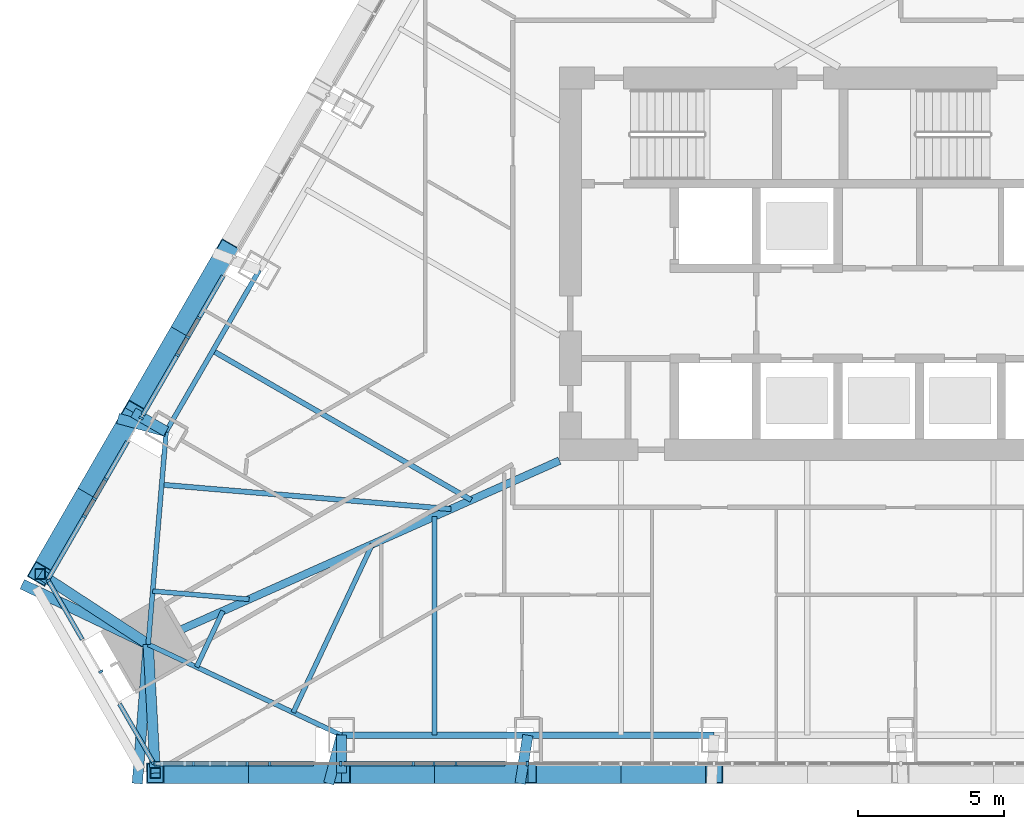
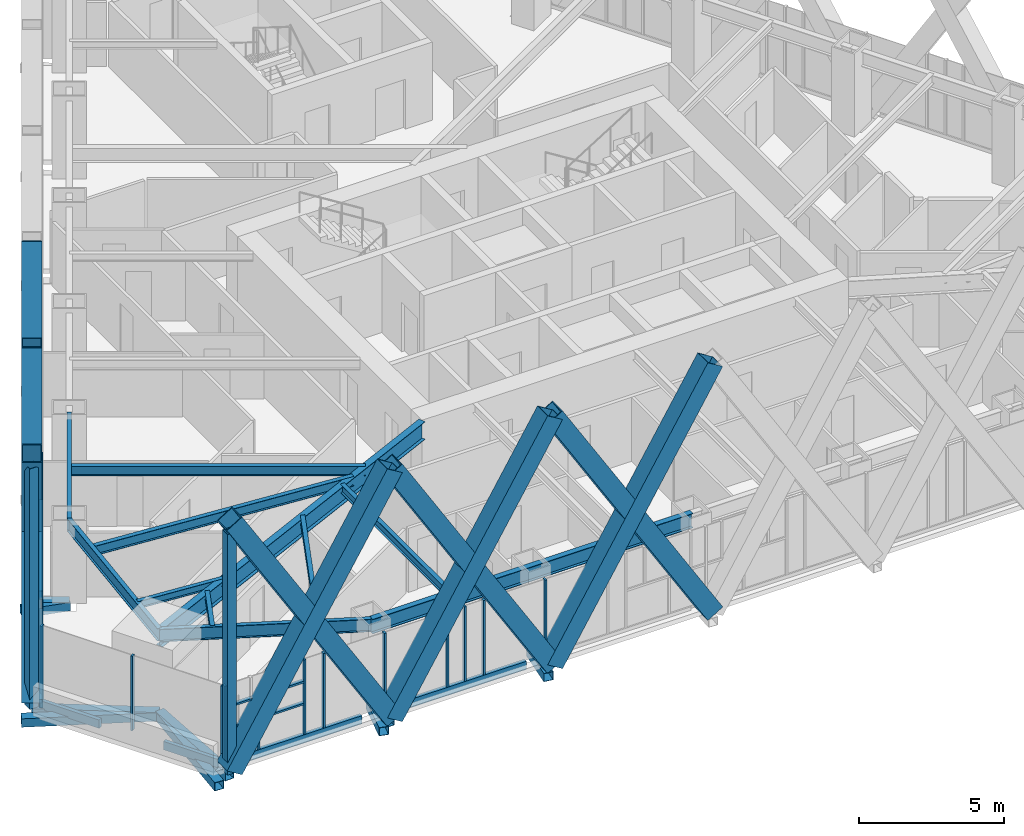
# One storey, part 2 of 21: 48 members, 11 beams, 3 elements without a shape of their own.
"""IFC4 building model written with IfcOpenShell, lengths in metres."""

from ifc_helpers import new_model, si_unit, direction, frame, origin, origin_2d, place, context, subcontext, project, spatial, rectangle, hollow_rectangle, i_section, extrude, material, layer, layer_set, material_profile, profile_set, type_object, element, aggregate, save


model = new_model("IFC4")

# Units and contexts
model_context = context("Model", 3, precision=1e-05, world=origin(), true_north=direction((0.0, 1.0)))
body_context = subcontext(model_context, "Body", "Model", "MODEL_VIEW")
ifc_project = project(units=[si_unit("LENGTHUNIT", "METRE"), si_unit("AREAUNIT", "SQUARE_METRE"), si_unit("VOLUMEUNIT", "CUBIC_METRE"), si_unit("PLANEANGLEUNIT", "RADIAN"), si_unit("MASSUNIT", "GRAM", prefix="KILO")], contexts=[model_context])

# Site, building, storey
site_placement = place(None, origin())
site = spatial("IfcSite", under=ifc_project, at=site_placement, CompositionType="ELEMENT")
building_placement = place(site_placement, origin())
building = spatial("IfcBuilding", under=site, at=building_placement, Name="Firuza Gate Tower and Library", CompositionType="ELEMENT")
storey_placement = place(building_placement, frame((0.0, 0.0, 281.10009765625)))
storey = spatial("IfcBuildingStorey", under=building, at=storey_placement, Name="L67", CompositionType="ELEMENT", Elevation=281.10009765625)

# Members
ifc_material_1 = material(Name="Steel S355", Category="steel")
ifc_material_profile_1 = material_profile(ifc_material_1, hollow_rectangle(XDim=0.699951171875, YDim=0.699951171875, WallThickness=0.030029296875, at=origin_2d()))
ifc_profile_set_1 = profile_set([ifc_material_profile_1], Name="Steel S355")
member_type_1 = type_object("IfcMemberType", Name="BU700x700x30 Lattice brace", PredefinedType="BRACE", material=ifc_profile_set_1)
for number, where, z_axis, x_axis, name in (
    (1, (52.637451171875, 57.531982421875, 0.0), (0.519819652329, 0.0, 0.854276026266), (0.0, 1.0, 0.0), "Lattice brace S 17.1R"),
    (2, (59.026611328125, 57.531982421875, 0.0), (-0.519819652329, 0.0, 0.854276026266), (0.0, -1.0, 0.0), "Lattice brace S 17.1L"),
):
    element("IfcMember", number, at=place(storey_placement, frame(where, z_axis=z_axis, x_axis=x_axis)), inside=storey, type_object=member_type_1, Name=name, PredefinedType="BRACE", context=body_context, shape_type="SweptSolid", body=[
        extrude(hollow_rectangle(XDim=0.699951171875, YDim=0.699951171875, WallThickness=0.030029296875, at=origin_2d()), origin(), (0.0, 0.0, 1.0), 12.291015625),
    ])
for number, where, z_axis, x_axis, name in (
    (3, (59.026611328125, 57.531982421875, 0.0), (0.519834148012, 0.0, 0.854267205598), (0.0, 1.0, 0.0), "Lattice brace S 17.2R"),
    (4, (65.416015625, 57.531982421875, 0.0), (-0.519834148012, 0.0, 0.854267205598), (0.0, -1.0, 0.0), "Lattice brace S 17.2L"),
    (5, (65.416015625, 57.531982421875, 0.0), (0.519834148012, 0.0, 0.854267205598), (0.0, 1.0, 0.0), "Lattice brace S 17.3R"),
    (6, (71.805419921875, 57.531982421875, 0.0), (-0.519834148012, 0.0, 0.854267205598), (0.0, -1.0, 0.0), "Lattice brace S 17.3L"),
    (7, (55.080322265625, 75.43408203125, 0.0), (-0.259925755409, -0.450192361787, 0.854263097098), (0.866019511163, -0.500010206181, 0.0), "Lattice brace W 17.6R"),
    (8, (51.885498046875, 69.900634765625, 0.0), (0.259925755409, 0.450192361787, 0.854263097098), (-0.866019511163, 0.500010206181, 0.0), "Lattice brace W 17.6L"),
):
    element("IfcMember", number, at=place(storey_placement, frame(where, z_axis=z_axis, x_axis=x_axis)), inside=storey, type_object=member_type_1, Name=name, PredefinedType="BRACE", context=body_context, shape_type="SweptSolid", body=[
        extrude(hollow_rectangle(XDim=0.699951171875, YDim=0.699951171875, WallThickness=0.030029296875, at=origin_2d()), origin(), (0.0, 0.0, 1.0), 12.291259765625),
    ])
for number, where, z_axis, x_axis, name in (
    (9, (51.885498046875, 69.900634765625, 0.0), (-0.259909558467, -0.450178848537, 0.854275146394), (0.866026504112, -0.499998094172, 0.0), "Lattice brace W 17.7R"),
    (10, (48.69091796875, 64.367431640625, 0.0), (0.259909558467, 0.450178848537, 0.854275146394), (-0.866026504112, 0.499998094172, 0.0), "Lattice brace W 17.7L"),
):
    element("IfcMember", number, at=place(storey_placement, frame(where, z_axis=z_axis, x_axis=x_axis)), inside=storey, type_object=member_type_1, Name=name, PredefinedType="BRACE", context=body_context, shape_type="SweptSolid", body=[
        extrude(hollow_rectangle(XDim=0.699951171875, YDim=0.699951171875, WallThickness=0.030029296875, at=origin_2d()), origin(), (0.0, 0.0, 1.0), 12.291015625),
    ])

# Curtain wall, members
ifc_material_2 = material(Name="Aluminium 6063-T6", Category="aluminium")
ifc_layer_1 = layer(ifc_material_2, 0.14990234375)
ifc_layer_set_1 = layer_set([ifc_layer_1], Name="Unitised curtain wall, residences")
curtain_wall_type_1 = type_object("IfcCurtainWallType", Name="Unitised curtain wall, residences", PredefinedType="NOTDEFINED", material=ifc_layer_set_1)
placement = place(storey_placement, origin())
curtain_wall_1 = element("IfcCurtainWall", 11, at=placement, inside=storey, type_object=curtain_wall_type_1, Name="CW3 L67 S face", PredefinedType="NOTDEFINED")
ifc_material_3 = material(Name="Aluminium 6063-T6", Category="aluminium")
ifc_material_profile_2 = material_profile(ifc_material_3, rectangle(XDim=0.14990234375, YDim=0.080078125, at=origin_2d()))
ifc_profile_set_2 = profile_set([ifc_material_profile_2], Name="Aluminium 6063-T6")
member_type_2 = type_object("IfcMemberType", Name="Curtain wall mullion 80x150", PredefinedType="MULLION", material=ifc_profile_set_2)
member_1_placement = place(storey_placement, frame((52.634033203125, 57.85693359375, 0.14990234375), z_axis=(0.0, 0.0, 1.0), x_axis=(0.0, 1.0, 0.0)))
member_1 = element("IfcMember", 12, at=member_1_placement, type_object=member_type_2, Name="Mullion", PredefinedType="MULLION", context=body_context, shape_type="SweptSolid", body=[
    extrude(rectangle(XDim=0.14990234375, YDim=0.080078125, at=origin_2d()), origin(), (0.0, 0.0, 1.0), 3.14990234375),
])
member_2_placement = place(storey_placement, frame((55.794921875, 57.85693359375, 0.14990234375), z_axis=(0.0, 0.0, 1.0), x_axis=(0.0, 1.0, 0.0)))
member_2 = element("IfcMember", 13, at=member_2_placement, type_object=member_type_2, Name="Mullion", PredefinedType="MULLION", context=body_context, shape_type="SweptSolid", body=[
    extrude(rectangle(XDim=0.14990234375, YDim=0.080078125, at=origin_2d()), origin(), (0.0, 0.0, 1.0), 3.14990234375),
])
member_3_placement = place(storey_placement, frame((58.995849609375, 57.85693359375, 0.14990234375), z_axis=(0.0, 0.0, 1.0), x_axis=(0.0, 1.0, 0.0)))
member_3 = element("IfcMember", 14, at=member_3_placement, type_object=member_type_2, Name="Mullion", PredefinedType="MULLION", context=body_context, shape_type="SweptSolid", body=[
    extrude(rectangle(XDim=0.14990234375, YDim=0.080078125, at=origin_2d()), origin(), (0.0, 0.0, 1.0), 3.14990234375),
])
member_4_placement = place(storey_placement, frame((62.196533203125, 57.85693359375, 0.14990234375), z_axis=(0.0, 0.0, 1.0), x_axis=(0.0, 1.0, 0.0)))
member_4 = element("IfcMember", 15, at=member_4_placement, type_object=member_type_2, Name="Mullion", PredefinedType="MULLION", context=body_context, shape_type="SweptSolid", body=[
    extrude(rectangle(XDim=0.14990234375, YDim=0.080078125, at=origin_2d()), origin(), (0.0, 0.0, 1.0), 3.14990234375),
])
member_5_placement = place(storey_placement, frame((65.3974609375, 57.85693359375, 0.14990234375), z_axis=(0.0, 0.0, 1.0), x_axis=(0.0, 1.0, 0.0)))
member_5 = element("IfcMember", 16, at=member_5_placement, type_object=member_type_2, Name="Mullion", PredefinedType="MULLION", context=body_context, shape_type="SweptSolid", body=[
    extrude(rectangle(XDim=0.14990234375, YDim=0.080078125, at=origin_2d()), origin(), (0.0, 0.0, 1.0), 3.14990234375),
])
member_6_placement = place(storey_placement, frame((53.949951171875, 57.85693359375, 0.14990234375), z_axis=(0.0, 0.0, 1.0), x_axis=(0.0, 1.0, 0.0)))
member_6 = element("IfcMember", 17, at=member_6_placement, type_object=member_type_2, Name="Mullion", PredefinedType="MULLION", context=body_context, shape_type="SweptSolid", body=[
    extrude(rectangle(XDim=0.14990234375, YDim=0.080078125, at=origin_2d()), origin(), (0.0, 0.0, 1.0), 1.260009765625),
])
member_7_placement = place(storey_placement, frame((56.56396484375, 57.85693359375, 0.14990234375), z_axis=(0.0, 0.0, 1.0), x_axis=(0.0, 1.0, 0.0)))
member_7 = element("IfcMember", 18, at=member_7_placement, type_object=member_type_2, Name="Mullion", PredefinedType="MULLION", context=body_context, shape_type="SweptSolid", body=[
    extrude(rectangle(XDim=0.14990234375, YDim=0.080078125, at=origin_2d()), origin(), (0.0, 0.0, 1.0), 3.14990234375),
])
member_8_placement = place(storey_placement, frame((61.489501953125, 57.85693359375, 0.14990234375), z_axis=(0.0, 0.0, 1.0), x_axis=(0.0, 1.0, 0.0)))
member_8 = element("IfcMember", 19, at=member_8_placement, type_object=member_type_2, Name="Mullion", PredefinedType="MULLION", context=body_context, shape_type="SweptSolid", body=[
    extrude(rectangle(XDim=0.14990234375, YDim=0.080078125, at=origin_2d()), origin(), (0.0, 0.0, 1.0), 3.14990234375),
])
member_9_placement = place(storey_placement, frame((62.953125, 57.85693359375, 0.14990234375), z_axis=(0.0, 0.0, 1.0), x_axis=(0.0, 1.0, 0.0)))
member_9 = element("IfcMember", 20, at=member_9_placement, type_object=member_type_2, Name="Mullion", PredefinedType="MULLION", context=body_context, shape_type="SweptSolid", body=[
    extrude(rectangle(XDim=0.14990234375, YDim=0.080078125, at=origin_2d()), origin(), (0.0, 0.0, 1.0), 3.14990234375),
])

curtain_wall_2 = element("IfcCurtainWall", 21, at=placement, inside=storey, type_object=curtain_wall_type_1, Name="CW3 L67 W face", PredefinedType="NOTDEFINED")
member_10_placement = place(storey_placement, frame((53.751953125, 72.4833984375, 0.14990234375), z_axis=(0.0, 0.0, 1.0), x_axis=(0.866025403784, -0.5, 0.0)))
member_10 = element("IfcMember", 22, at=member_10_placement, type_object=member_type_2, Name="Mullion", PredefinedType="MULLION", context=body_context, shape_type="SweptSolid", body=[
    extrude(rectangle(XDim=0.14990234375, YDim=0.080078125, at=origin_2d()), origin(), (0.0, 0.0, 1.0), 3.14990234375),
])
member_11_placement = place(storey_placement, frame((52.151611328125, 69.71142578125, 0.14990234375), z_axis=(0.0, 0.0, 1.0), x_axis=(0.866025403784, -0.5, 0.0)))
member_11 = element("IfcMember", 23, at=member_11_placement, type_object=member_type_2, Name="Mullion", PredefinedType="MULLION", context=body_context, shape_type="SweptSolid", body=[
    extrude(rectangle(XDim=0.14990234375, YDim=0.080078125, at=origin_2d()), origin(), (0.0, 0.0, 1.0), 3.14990234375),
])
member_12_placement = place(storey_placement, frame((50.55126953125, 66.939453125, 0.14990234375), z_axis=(0.0, 0.0, 1.0), x_axis=(0.866025403784, -0.5, 0.0)))
member_12 = element("IfcMember", 24, at=member_12_placement, type_object=member_type_2, Name="Mullion", PredefinedType="MULLION", context=body_context, shape_type="SweptSolid", body=[
    extrude(rectangle(XDim=0.14990234375, YDim=0.080078125, at=origin_2d()), origin(), (0.0, 0.0, 1.0), 3.14990234375),
])
member_13_placement = place(storey_placement, frame((54.13037109375, 73.138671875, 0.14990234375), z_axis=(0.0, 0.0, 1.0), x_axis=(0.866025403784, -0.5, 0.0)))
member_13 = element("IfcMember", 25, at=member_13_placement, type_object=member_type_2, Name="Mullion", PredefinedType="MULLION", context=body_context, shape_type="SweptSolid", body=[
    extrude(rectangle(XDim=0.14990234375, YDim=0.080078125, at=origin_2d()), origin(), (0.0, 0.0, 1.0), 3.14990234375),
])
member_14_placement = place(storey_placement, frame((53.3984375, 71.87109375, 0.14990234375), z_axis=(0.0, 0.0, 1.0), x_axis=(0.866025403784, -0.5, 0.0)))
member_14 = element("IfcMember", 26, at=member_14_placement, type_object=member_type_2, Name="Mullion", PredefinedType="MULLION", context=body_context, shape_type="SweptSolid", body=[
    extrude(rectangle(XDim=0.14990234375, YDim=0.080078125, at=origin_2d()), origin(), (0.0, 0.0, 1.0), 3.14990234375),
])
member_15_placement = place(storey_placement, frame((50.935546875, 67.60546875, 0.14990234375), z_axis=(0.0, 0.0, 1.0), x_axis=(0.866025403784, -0.5, 0.0)))
member_15 = element("IfcMember", 27, at=member_15_placement, type_object=member_type_2, Name="Mullion", PredefinedType="MULLION", context=body_context, shape_type="SweptSolid", body=[
    extrude(rectangle(XDim=0.14990234375, YDim=0.080078125, at=origin_2d()), origin(), (0.0, 0.0, 1.0), 3.14990234375),
])
member_16_placement = place(storey_placement, frame((50.203857421875, 66.337646484375, 0.14990234375), z_axis=(0.0, 0.0, 1.0), x_axis=(0.866025403784, -0.5, 0.0)))
member_16 = element("IfcMember", 28, at=member_16_placement, type_object=member_type_2, Name="Mullion", PredefinedType="MULLION", context=body_context, shape_type="SweptSolid", body=[
    extrude(rectangle(XDim=0.14990234375, YDim=0.080078125, at=origin_2d()), origin(), (0.0, 0.0, 1.0), 3.14990234375),
])

ifc_material_4 = material(Name="Aluminium 6063-T6", Category="aluminium")
ifc_layer_2 = layer(ifc_material_4, 0.14990234375)
ifc_layer_set_2 = layer_set([ifc_layer_2], Name="Corner curtain wall, chamfers")
curtain_wall_type_2 = type_object("IfcCurtainWallType", Name="Corner curtain wall, chamfers", PredefinedType="NOTDEFINED", material=ifc_layer_set_2)
curtain_wall_3 = element("IfcCurtainWall", 29, at=placement, inside=storey, type_object=curtain_wall_type_2, Name="CW4 L67 SW corner", PredefinedType="NOTDEFINED")
member_17_placement = place(storey_placement, frame((48.970703125, 64.1328125, 0.14990234375), z_axis=(0.0, 0.0, 1.0), x_axis=(0.866025403784, 0.5, 0.0)))
member_17 = element("IfcMember", 30, at=member_17_placement, type_object=member_type_2, Name="Mullion", PredefinedType="MULLION", context=body_context, shape_type="SweptSolid", body=[
    extrude(rectangle(XDim=0.14990234375, YDim=0.080078125, at=origin_2d()), origin(), (0.0, 0.0, 1.0), 3.14990234375),
])
member_18_placement = place(storey_placement, frame((50.7724609375, 61.01220703125, 0.14990234375), z_axis=(0.0, 0.0, 1.0), x_axis=(0.866025403784, 0.5, 0.0)))
member_18 = element("IfcMember", 31, at=member_18_placement, type_object=member_type_2, Name="Mullion", PredefinedType="MULLION", context=body_context, shape_type="SweptSolid", body=[
    extrude(rectangle(XDim=0.14990234375, YDim=0.080078125, at=origin_2d()), origin(), (0.0, 0.0, 1.0), 3.14990234375),
])
member_19_placement = place(storey_placement, frame((52.573974609375, 57.8916015625, 0.14990234375), z_axis=(0.0, 0.0, 1.0), x_axis=(0.866025403784, 0.5, 0.0)))
member_19 = element("IfcMember", 32, at=member_19_placement, type_object=member_type_2, Name="Mullion", PredefinedType="MULLION", context=body_context, shape_type="SweptSolid", body=[
    extrude(rectangle(XDim=0.14990234375, YDim=0.080078125, at=origin_2d()), origin(), (0.0, 0.0, 1.0), 3.14990234375),
])

# Member
ifc_material_5 = material(Name="Aluminium 6063-T6", Category="aluminium")
ifc_material_profile_3 = material_profile(ifc_material_5, rectangle(XDim=0.14990234375, YDim=0.35009765625, at=origin_2d()))
ifc_profile_set_3 = profile_set([ifc_material_profile_3], Name="Aluminium 6063-T6")
member_type_3 = type_object("IfcMemberType", Name="Curtain wall transom 350x150", PredefinedType="USERDEFINED", material=ifc_profile_set_3)
member_20_placement = place(storey_placement, frame((52.593994140625, 57.85693359375, -0.025146484375), z_axis=(1.0, 0.0, 0.0), x_axis=(0.0, 1.0, 0.0)))
member_20 = element("IfcMember", 33, at=member_20_placement, type_object=member_type_3, Name="Transom", ObjectType="TRANSOM", PredefinedType="USERDEFINED", context=body_context, shape_type="SweptSolid", body=[
    extrude(rectangle(XDim=0.14990234375, YDim=0.35009765625, at=origin_2d()), origin(), (0.0, 0.0, 1.0), 5.465087890625),
])

member_21_placement = place(storey_placement, frame((59.1142578125, 57.85693359375, -0.025146484375), z_axis=(1.0, 0.0, 0.0), x_axis=(0.0, 1.0, 0.0)))
member_21 = element("IfcMember", 34, at=member_21_placement, type_object=member_type_3, Name="Transom", ObjectType="TRANSOM", PredefinedType="USERDEFINED", context=body_context, shape_type="SweptSolid", body=[
    extrude(rectangle(XDim=0.14990234375, YDim=0.35009765625, at=origin_2d()), origin(), (0.0, 0.0, 1.0), 5.51025390625),
])

member_22_placement = place(storey_placement, frame((54.966064453125, 74.5859375, -0.025146484375), z_axis=(-0.500036938691, -0.866004076171, 0.0), x_axis=(0.866004076171, -0.500036938691, 0.0)))
member_22 = element("IfcMember", 35, at=member_22_placement, type_object=member_type_3, Name="Transom", ObjectType="TRANSOM", PredefinedType="USERDEFINED", context=body_context, shape_type="SweptSolid", body=[
    extrude(rectangle(XDim=0.14990234375, YDim=0.35009765625, at=origin_2d()), origin(), (0.0, 0.0, 1.0), 5.51025390625),
])

member_23_placement = place(storey_placement, frame((51.683349609375, 68.900390625, -0.025146484375), z_axis=(-0.500016339278, -0.866015970092, 0.0), x_axis=(0.866015970092, -0.500016339278, 0.0)))
member_23 = element("IfcMember", 36, at=member_23_placement, type_object=member_type_3, Name="Transom", ObjectType="TRANSOM", PredefinedType="USERDEFINED", context=body_context, shape_type="SweptSolid", body=[
    extrude(rectangle(XDim=0.14990234375, YDim=0.35009765625, at=origin_2d()), origin(), (0.0, 0.0, 1.0), 5.465087890625),
])

aggregate(curtain_wall_2, [member_10, member_11, member_12, member_22, member_23, member_13, member_14, member_15, member_16])

member_24_placement = place(storey_placement, frame((48.95068359375, 64.16748046875, -0.025146484375), z_axis=(0.499960902066, -0.86604797581, 0.0), x_axis=(0.86604797581, 0.499960902066, 0.0)))
member_24 = element("IfcMember", 37, at=member_24_placement, type_object=member_type_3, Name="Transom", ObjectType="TRANSOM", PredefinedType="USERDEFINED", context=body_context, shape_type="SweptSolid", body=[
    extrude(rectangle(XDim=0.14990234375, YDim=0.35009765625, at=origin_2d()), origin(), (0.0, 0.0, 1.0), 2.363525390625),
])

member_25_placement = place(storey_placement, frame((51.412353515625, 59.903564453125, -0.025146484375), z_axis=(0.500005632288, -0.866022151957, 0.0), x_axis=(0.866022151957, 0.500005632288, 0.0)))
member_25 = element("IfcMember", 38, at=member_25_placement, type_object=member_type_3, Name="Transom", ObjectType="TRANSOM", PredefinedType="USERDEFINED", context=body_context, shape_type="SweptSolid", body=[
    extrude(rectangle(XDim=0.14990234375, YDim=0.35009765625, at=origin_2d()), origin(), (0.0, 0.0, 1.0), 2.36328125),
])

aggregate(curtain_wall_3, [member_17, member_18, member_19, member_24, member_25])

ifc_material_6 = material(Name="Aluminium 6063-T6", Category="aluminium")
ifc_material_profile_4 = material_profile(ifc_material_6, rectangle(XDim=0.14990234375, YDim=0.080078125, at=origin_2d()))
ifc_profile_set_4 = profile_set([ifc_material_profile_4], Name="Aluminium 6063-T6")
member_type_4 = type_object("IfcMemberType", Name="Curtain wall transom 80x150", PredefinedType="USERDEFINED", material=ifc_profile_set_4)
member_26_placement = place(storey_placement, frame((52.634033203125, 57.85693359375, 1.449951171875), z_axis=(1.0, 0.0, 0.0), x_axis=(0.0, 1.0, 0.0)))
member_26 = element("IfcMember", 39, at=member_26_placement, type_object=member_type_4, Name="Transom", ObjectType="TRANSOM", PredefinedType="USERDEFINED", context=body_context, shape_type="SweptSolid", body=[
    extrude(rectangle(XDim=0.14990234375, YDim=0.080078125, at=origin_2d()), origin(), (0.0, 0.0, 1.0), 3.120849609375),
])

member_27_placement = place(storey_placement, frame((52.634033203125, 57.85693359375, 2.375), z_axis=(1.0, 0.0, 0.0), x_axis=(0.0, 1.0, 0.0)))
member_27 = element("IfcMember", 40, at=member_27_placement, type_object=member_type_4, Name="Transom", ObjectType="TRANSOM", PredefinedType="USERDEFINED", context=body_context, shape_type="SweptSolid", body=[
    extrude(rectangle(XDim=0.14990234375, YDim=0.080078125, at=origin_2d()), origin(), (0.0, 0.0, 1.0), 3.120849609375),
])

aggregate(curtain_wall_1, [member_1, member_2, member_3, member_4, member_5, member_20, member_21, member_6, member_26, member_27, member_7, member_8, member_9])

# Members
ifc_material_7 = material(Name="Steel S355", Category="steel")
ifc_material_profile_5 = material_profile(ifc_material_7, hollow_rectangle(XDim=0.355712890625, YDim=0.355712890625, WallThickness=0.014892578125, at=origin_2d()))
ifc_profile_set_5 = profile_set([ifc_material_profile_5], Name="Steel S355")
member_type_5 = type_object("IfcMemberType", Name="HSS356x356x16 Lattice corner stile", PredefinedType="BRACE", material=ifc_profile_set_5)
for number, where, z_axis, x_axis, name in (
    (41, (52.637451171875, 57.531982421875, -0.14013671875), (0.0, 0.0, 1.0), (1.0, 0.0, 0.0), "Lattice corner stile S 17.A"),
    (42, (48.69091796875, 64.367431640625, -0.14013671875), (0.0, 0.0, 1.0), (1.0, 0.0, 0.0), "Lattice corner stile W 17.B"),
):
    element("IfcMember", number, at=place(storey_placement, frame(where, z_axis=z_axis, x_axis=x_axis)), inside=storey, type_object=member_type_5, Name=name, PredefinedType="BRACE", context=body_context, shape_type="SweptSolid", body=[
        extrude(hollow_rectangle(XDim=0.355712890625, YDim=0.355712890625, WallThickness=0.014892578125, at=origin_2d()), origin(), (0.0, 0.0, 1.0), 10.14013671875),
    ])
ifc_material_8 = material(Name="Steel S355", Category="steel")
ifc_material_profile_6 = material_profile(ifc_material_8, hollow_rectangle(XDim=0.355712890625, YDim=0.355712890625, WallThickness=0.014892578125, at=origin_2d()))
ifc_profile_set_6 = profile_set([ifc_material_profile_6], Name="Steel S355")
member_type_6 = type_object("IfcMemberType", Name="HSS356x356x16 Lattice node tie", PredefinedType="BRACE", material=ifc_profile_set_6)
member_28_placement = place(storey_placement, frame((52.396240234375, 61.94970703125, -0.320068359375), z_axis=(-0.078318433579, -0.996928394099, 0.0), x_axis=(0.996928394099, -0.078318433579, 0.0)))
element("IfcMember", 43, at=member_28_placement, inside=storey, type_object=member_type_6, Name="Lattice node tie S L67 439", PredefinedType="BRACE", context=body_context, shape_type="SweptSolid", body=[
    extrude(hollow_rectangle(XDim=0.355712890625, YDim=0.355712890625, WallThickness=0.014892578125, at=origin_2d()), origin(), (0.0, 0.0, 1.0), 4.7880859375),
])
member_29_placement = place(storey_placement, frame((52.396240234375, 61.94970703125, -0.320068359375), z_axis=(0.054519511079, -0.998512705433, 0.0), x_axis=(0.998512705433, 0.054519511079, 0.0)))
element("IfcMember", 44, at=member_29_placement, inside=storey, type_object=member_type_6, Name="Lattice node tie S L67 440", PredefinedType="BRACE", context=body_context, shape_type="SweptSolid", body=[
    extrude(hollow_rectangle(XDim=0.355712890625, YDim=0.355712890625, WallThickness=0.014892578125, at=origin_2d()), origin(), (0.0, 0.0, 1.0), 4.42431640625),
])
member_30_placement = place(storey_placement, frame((59.026611328125, 58.83203125, -0.320068359375), z_axis=(-0.256793327243, -0.966466340378, 0.0), x_axis=(0.966466340378, -0.256793327243, 0.0)))
element("IfcMember", 45, at=member_30_placement, inside=storey, type_object=member_type_6, Name="Lattice node tie S L67 441", PredefinedType="BRACE", context=body_context, shape_type="SweptSolid", body=[
    extrude(hollow_rectangle(XDim=0.355712890625, YDim=0.355712890625, WallThickness=0.014892578125, at=origin_2d()), origin(), (0.0, 0.0, 1.0), 1.713134765625),
])
member_31_placement = place(storey_placement, frame((59.026611328125, 58.83203125, -0.320068359375), z_axis=(0.0, -1.0, 0.0), x_axis=(1.0, 0.0, 0.0)))
element("IfcMember", 46, at=member_31_placement, inside=storey, type_object=member_type_6, Name="Lattice node tie S L67 442", PredefinedType="BRACE", context=body_context, shape_type="SweptSolid", body=[
    extrude(hollow_rectangle(XDim=0.355712890625, YDim=0.355712890625, WallThickness=0.014892578125, at=origin_2d()), origin(), (0.0, 0.0, 1.0), 1.300048828125),
])
member_32_placement = place(storey_placement, frame((65.416015625, 58.83203125, -0.320068359375), z_axis=(-0.157405530455, -0.987534049531, 0.0), x_axis=(0.987534049531, -0.157405530455, 0.0)))
element("IfcMember", 47, at=member_32_placement, inside=storey, type_object=member_type_6, Name="Lattice node tie S L67 443", PredefinedType="BRACE", context=body_context, shape_type="SweptSolid", body=[
    extrude(hollow_rectangle(XDim=0.355712890625, YDim=0.355712890625, WallThickness=0.014892578125, at=origin_2d()), origin(), (0.0, 0.0, 1.0), 1.6767578125),
])
member_33_placement = place(storey_placement, frame((52.396240234375, 61.94970703125, -0.320068359375), z_axis=(-0.902515271089, 0.430657851956, 0.0), x_axis=(-0.430657851956, -0.902515271089, 0.0)))
element("IfcMember", 48, at=member_33_placement, inside=storey, type_object=member_type_6, Name="Lattice node tie W L67 451", PredefinedType="BRACE", context=body_context, shape_type="SweptSolid", body=[
    extrude(hollow_rectangle(XDim=0.355712890625, YDim=0.355712890625, WallThickness=0.014892578125, at=origin_2d()), origin(), (0.0, 0.0, 1.0), 4.7880859375),
])
member_34_placement = place(storey_placement, frame((52.396240234375, 61.94970703125, -0.320068359375), z_axis=(-0.837485429113, 0.546459656355, 0.0), x_axis=(-0.546459656355, -0.837485429113, 0.0)))
element("IfcMember", 49, at=member_34_placement, inside=storey, type_object=member_type_6, Name="Lattice node tie W L67 452", PredefinedType="BRACE", context=body_context, shape_type="SweptSolid", body=[
    extrude(hollow_rectangle(XDim=0.355712890625, YDim=0.355712890625, WallThickness=0.014892578125, at=origin_2d()), origin(), (0.0, 0.0, 1.0), 4.42431640625),
])
member_35_placement = place(storey_placement, frame((53.011474609375, 69.250732421875, -0.320068359375), z_axis=(-0.965392491391, 0.260801337355, 0.0), x_axis=(-0.260801337355, -0.965392491391, 0.0)))
element("IfcMember", 50, at=member_35_placement, inside=storey, type_object=member_type_6, Name="Lattice node tie W L67 453", PredefinedType="BRACE", context=body_context, shape_type="SweptSolid", body=[
    extrude(hollow_rectangle(XDim=0.355712890625, YDim=0.355712890625, WallThickness=0.014892578125, at=origin_2d()), origin(), (0.0, 0.0, 1.0), 1.713134765625),
])
member_36_placement = place(storey_placement, frame((53.011474609375, 69.250732421875, -0.320068359375), z_axis=(-0.866085525409, 0.49989585183, 0.0), x_axis=(-0.49989585183, -0.866085525409, 0.0)))
element("IfcMember", 51, at=member_36_placement, inside=storey, type_object=member_type_6, Name="Lattice node tie W L67 454", PredefinedType="BRACE", context=body_context, shape_type="SweptSolid", body=[
    extrude(hollow_rectangle(XDim=0.355712890625, YDim=0.355712890625, WallThickness=0.014892578125, at=origin_2d()), origin(), (0.0, 0.0, 1.0), 1.300048828125),
])

# Beams
ifc_material_9 = material(Name="Steel S355", Category="steel")
ifc_material_profile_7 = material_profile(ifc_material_9, i_section(OverallWidth=0.1650390625, OverallDepth=0.31005859375, WebThickness=0.005859375, FlangeThickness=0.009765625, at=origin_2d()))
ifc_profile_set_7 = profile_set([ifc_material_profile_7], Name="Steel S355")
beam_type_1 = type_object("IfcBeamType", Name="W310x39 Floor beam", PredefinedType="JOIST", material=ifc_profile_set_7)
beam_1_placement = place(storey_placement, frame((52.550048828125, 63.77490234375, 3.14501953125), z_axis=(0.996467212931, -0.083982697946, 0.0), x_axis=(0.083982697946, 0.996467212931, 0.0)))
element("IfcBeam", 52, at=beam_1_placement, inside=storey, type_object=beam_type_1, Name="Floor beam L67 s01", PredefinedType="JOIST", context=body_context, shape_type="SweptSolid", body=[
    extrude(i_section(OverallWidth=0.1650390625, OverallDepth=0.31005859375, WebThickness=0.005859375, FlangeThickness=0.009765625, at=origin_2d()), origin(), (0.0, 0.0, 1.0), 3.31982421875),
])
beam_2_placement = place(storey_placement, frame((54.0537109375, 61.170166015625, 3.14501953125), z_axis=(0.425542647258, 0.904938371031, 0.0), x_axis=(-0.904938371031, 0.425542647258, 0.0)))
element("IfcBeam", 53, at=beam_2_placement, inside=storey, type_object=beam_type_1, Name="Floor beam L67 s10", PredefinedType="JOIST", context=body_context, shape_type="SweptSolid", body=[
    extrude(i_section(OverallWidth=0.1650390625, OverallDepth=0.31005859375, WebThickness=0.005859375, FlangeThickness=0.009765625, at=origin_2d()), origin(), (0.0, 0.0, 1.0), 2.126220703125),
])
beam_3_placement = place(storey_placement, frame((57.369140625, 59.611328125, 3.14501953125), z_axis=(0.425479956194, 0.904967848532, 0.0), x_axis=(-0.904967848532, 0.425479956194, 0.0)))
element("IfcBeam", 54, at=beam_3_placement, inside=storey, type_object=beam_type_1, Name="Floor beam L67 s11", PredefinedType="JOIST", context=body_context, shape_type="SweptSolid", body=[
    extrude(i_section(OverallWidth=0.1650390625, OverallDepth=0.31005859375, WebThickness=0.005859375, FlangeThickness=0.009765625, at=origin_2d()), origin(), (0.0, 0.0, 1.0), 6.37841796875),
])
ifc_material_10 = material(Name="Steel S355", Category="steel")
ifc_material_profile_8 = material_profile(ifc_material_10, i_section(OverallWidth=0.1708984375, OverallDepth=0.35498046875, WebThickness=0.007080078125, FlangeThickness=0.01171875, at=origin_2d()))
ifc_profile_set_8 = profile_set([ifc_material_profile_8], Name="Steel S355")
beam_type_2 = type_object("IfcBeamType", Name="W360x51 Floor beam", PredefinedType="JOIST", material=ifc_profile_set_8)
beam_4_placement = place(storey_placement, frame((62.221435546875, 58.83203125, 3.122314453125), z_axis=(0.0, 1.0, 0.0), x_axis=(-1.0, 0.0, 0.0)))
element("IfcBeam", 55, at=beam_4_placement, inside=storey, type_object=beam_type_2, Name="Floor beam L67 s20", PredefinedType="JOIST", context=body_context, shape_type="SweptSolid", body=[
    extrude(i_section(OverallWidth=0.1708984375, OverallDepth=0.35498046875, WebThickness=0.007080078125, FlangeThickness=0.01171875, at=origin_2d()), origin(), (0.0, 0.0, 1.0), 7.506591796875),
])
ifc_material_11 = material(Name="Steel S355", Category="steel")
ifc_material_profile_9 = material_profile(ifc_material_11, i_section(OverallWidth=0.177978515625, OverallDepth=0.406982421875, WebThickness=0.0078125, FlangeThickness=0.0126953125, at=origin_2d()))
ifc_profile_set_9 = profile_set([ifc_material_profile_9], Name="Steel S355")
beam_type_3 = type_object("IfcBeamType", Name="W410x60 Floor beam", PredefinedType="JOIST", material=ifc_profile_set_9)
beam_5_placement = place(storey_placement, frame((52.857666015625, 67.425537109375, 3.096435546875), z_axis=(0.996467212931, -0.083982697946, 0.0), x_axis=(0.083982697946, 0.996467212931, 0.0)))
element("IfcBeam", 56, at=beam_5_placement, inside=storey, type_object=beam_type_3, Name="Floor beam L67 s00", PredefinedType="JOIST", context=body_context, shape_type="SweptSolid", body=[
    extrude(i_section(OverallWidth=0.177978515625, OverallDepth=0.406982421875, WebThickness=0.0078125, FlangeThickness=0.0126953125, at=origin_2d()), origin(), (0.0, 0.0, 1.0), 9.95947265625),
])
beam_6_placement = place(storey_placement, frame((54.608642578125, 72.017333984375, 3.096435546875), z_axis=(0.866036270578, -0.499981177689, 0.0), x_axis=(0.499981177689, 0.866036270578, 0.0)))
element("IfcBeam", 57, at=beam_6_placement, inside=storey, type_object=beam_type_3, Name="Floor beam L67 s84", PredefinedType="JOIST", context=body_context, shape_type="SweptSolid", body=[
    extrude(i_section(OverallWidth=0.177978515625, OverallDepth=0.406982421875, WebThickness=0.0078125, FlangeThickness=0.0126953125, at=origin_2d()), origin(), (0.0, 0.0, 1.0), 10.23779296875),
])
ifc_material_12 = material(Name="Steel S355", Category="steel")
ifc_material_profile_10 = material_profile(ifc_material_12, i_section(OverallWidth=0.166015625, OverallDepth=0.534912109375, WebThickness=0.01025390625, FlangeThickness=0.0166015625, at=origin_2d()))
ifc_profile_set_10 = profile_set([ifc_material_profile_10], Name="Steel S355")
beam_type_4 = type_object("IfcBeamType", Name="W530x85 Edge beam", PredefinedType="SPANDREL", material=ifc_profile_set_10)
beam_7_placement = place(storey_placement, frame((53.011474609375, 69.250732421875, 3.032470703125), z_axis=(-0.083969243734, -0.996468346766, 0.0), x_axis=(0.996468346766, -0.083969243734, 0.0)))
element("IfcBeam", 58, at=beam_7_placement, inside=storey, type_object=beam_type_4, Name="Edge beam L67 e00", PredefinedType="SPANDREL", context=body_context, shape_type="SweptSolid", body=[
    extrude(i_section(OverallWidth=0.166015625, OverallDepth=0.534912109375, WebThickness=0.01025390625, FlangeThickness=0.0166015625, at=origin_2d()), origin(), (0.0, 0.0, 1.0), 7.326904296875),
])
beam_8_placement = place(storey_placement, frame((52.396240234375, 61.94970703125, 3.032470703125), z_axis=(0.904950057905, -0.425517793632, 0.0), x_axis=(0.425517793632, 0.904950057905, 0.0)))
element("IfcBeam", 59, at=beam_8_placement, inside=storey, type_object=beam_type_4, Name="Edge beam L67 e10", PredefinedType="SPANDREL", context=body_context, shape_type="SweptSolid", body=[
    extrude(i_section(OverallWidth=0.166015625, OverallDepth=0.534912109375, WebThickness=0.01025390625, FlangeThickness=0.0166015625, at=origin_2d()), origin(), (0.0, 0.0, 1.0), 7.32666015625),
])
beam_9_placement = place(storey_placement, frame((56.2060546875, 74.783935546875, 3.032470703125), z_axis=(-0.499998094172, -0.866026504112, 0.0), x_axis=(0.866026504112, -0.499998094172, 0.0)))
element("IfcBeam", 60, at=beam_9_placement, inside=storey, type_object=beam_type_4, Name="Edge beam L67 e84", PredefinedType="SPANDREL", context=body_context, shape_type="SweptSolid", body=[
    extrude(i_section(OverallWidth=0.166015625, OverallDepth=0.534912109375, WebThickness=0.01025390625, FlangeThickness=0.0166015625, at=origin_2d()), origin(), (0.0, 0.0, 1.0), 6.38916015625),
])
ifc_material_13 = material(Name="Steel S355", Category="steel")
ifc_material_profile_11 = material_profile(ifc_material_13, i_section(OverallWidth=0.22900390625, OverallDepth=0.612060546875, WebThickness=0.011962890625, FlangeThickness=0.01953125, at=origin_2d()))
ifc_profile_set_11 = profile_set([ifc_material_profile_11], Name="Steel S355")
beam_type_5 = type_object("IfcBeamType", Name="W610x125 Edge beam", PredefinedType="SPANDREL", material=ifc_profile_set_11)
beam_10_placement = place(storey_placement, frame((59.026611328125, 58.83203125, 2.993896484375), z_axis=(1.0, 0.0, 0.0), x_axis=(0.0, 1.0, 0.0)))
element("IfcBeam", 61, at=beam_10_placement, inside=storey, type_object=beam_type_5, Name="Edge beam L67 e20", PredefinedType="SPANDREL", context=body_context, shape_type="SweptSolid", body=[
    extrude(i_section(OverallWidth=0.22900390625, OverallDepth=0.612060546875, WebThickness=0.011962890625, FlangeThickness=0.01953125, at=origin_2d()), origin(), (0.0, 0.0, 1.0), 12.77880859375),
])
ifc_material_14 = material(Name="Steel S355", Category="steel")
ifc_material_profile_12 = material_profile(ifc_material_14, i_section(OverallWidth=0.264892578125, OverallDepth=0.7529296875, WebThickness=0.01318359375, FlangeThickness=0.01708984375, at=origin_2d()))
ifc_profile_set_12 = profile_set([ifc_material_profile_12], Name="Steel S355")
beam_type_6 = type_object("IfcBeamType", Name="W760x147 Girder", PredefinedType="BEAM", material=ifc_profile_set_12)
beam_11_placement = place(storey_placement, frame((52.396240234375, 61.94970703125, 2.92333984375), z_axis=(0.913042148656, 0.407865216435, 0.0), x_axis=(-0.407865216435, 0.913042148656, 0.0)))
element("IfcBeam", 62, at=beam_11_placement, inside=storey, type_object=beam_type_6, Name="Girder L67 gSW", PredefinedType="BEAM", context=body_context, shape_type="SweptSolid", body=[
    extrude(i_section(OverallWidth=0.264892578125, OverallDepth=0.7529296875, WebThickness=0.01318359375, FlangeThickness=0.01708984375, at=origin_2d()), origin(), (0.0, 0.0, 1.0), 15.447021484375),
])

save(model, "model.ifc")
